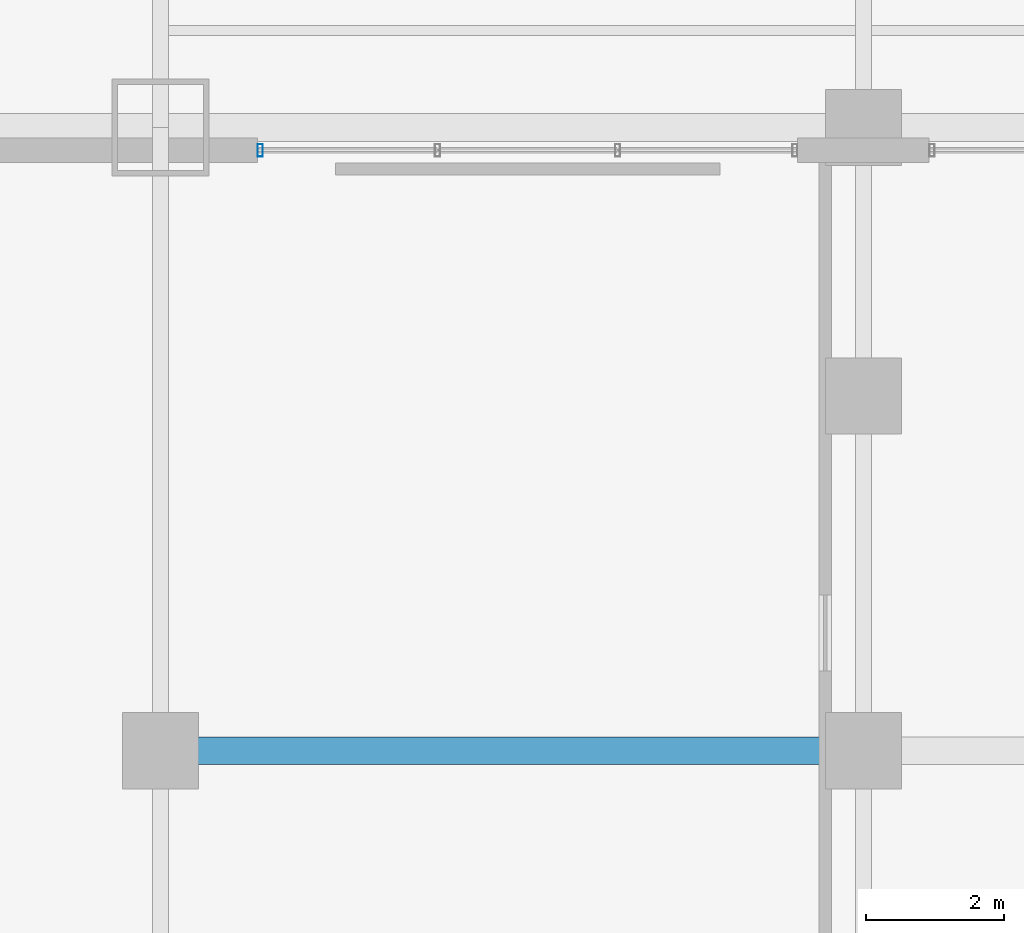
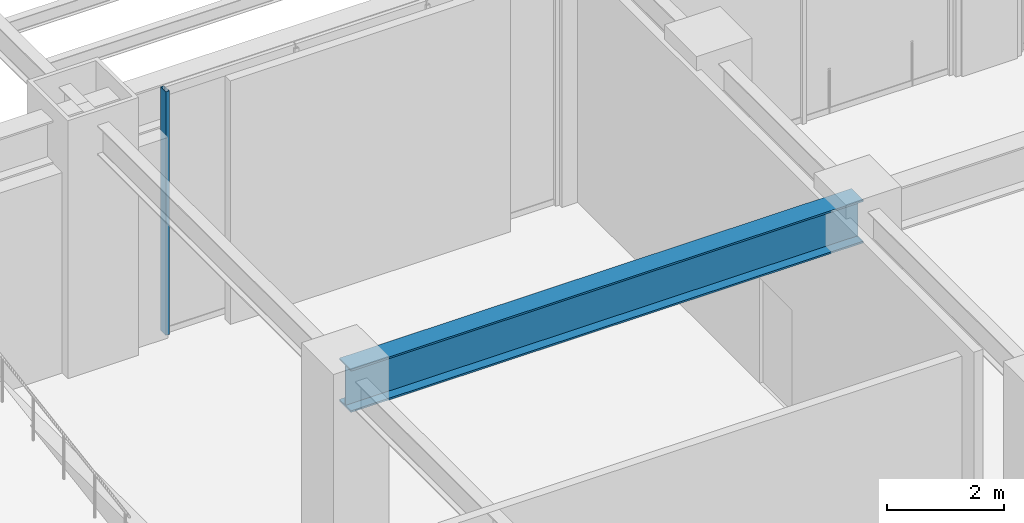
# One storey, part 3 of 23: 1 beam, 1 member, 1 element without a shape of its own.
"""IFC4 building model written with IfcOpenShell, lengths in metres."""

from ifc_helpers import new_model, si_unit, direction, frame, origin, origin_2d, place, context, subcontext, project, spatial, hollow_rectangle, i_section, extrude, material, material_profile, profile_set, type_object, element, aggregate, save


model = new_model("IFC4")

# Units and contexts
model_context = context("Model", 3, precision=1e-05, world=origin(), true_north=direction((0.0, 1.0)))
body_context = subcontext(model_context, "Body", "Model", "MODEL_VIEW")
ifc_project = project(units=[si_unit("LENGTHUNIT", "METRE"), si_unit("AREAUNIT", "SQUARE_METRE"), si_unit("VOLUMEUNIT", "CUBIC_METRE"), si_unit("PLANEANGLEUNIT", "RADIAN"), si_unit("MASSUNIT", "GRAM", prefix="KILO")], contexts=[model_context])

# Site, building, storey
site_placement = place(None, origin())
site = spatial("IfcSite", under=ifc_project, at=site_placement, CompositionType="ELEMENT")
building_placement = place(site_placement, origin())
building = spatial("IfcBuilding", under=site, at=building_placement, Name="Ventersveld Concourse Tower", CompositionType="ELEMENT")
storey_placement = place(building_placement, origin())
storey = spatial("IfcBuildingStorey", under=building, at=storey_placement, Name="L00", CompositionType="ELEMENT", Elevation=0.0)

# Curtain wall, member
ifc_material_1 = material(Name="Anodised aluminium EN AW-6063-T6", Category="aluminium")
curtain_wall_type = type_object("IfcCurtainWallType", Name="CW-CONC-1", PredefinedType="NOTDEFINED", material=ifc_material_1)
curtain_wall_placement = place(storey_placement, origin())
curtain_wall = element("IfcCurtainWall", 1, at=curtain_wall_placement, inside=storey, type_object=curtain_wall_type, Name="L00 Station Concourse North Storefront 1", PredefinedType="NOTDEFINED")
ifc_material_profile_1 = material_profile(ifc_material_1, hollow_rectangle(XDim=0.074951171875, YDim=0.179931640625, WallThickness=0.00390625, at=origin_2d()), Name="ALU 180x75x4")
ifc_profile_set_1 = profile_set([ifc_material_profile_1], Name="Anodised aluminium EN AW-6063-T6")
member_type = type_object("IfcMemberType", Name="CWM-180x75", PredefinedType="MULLION", material=ifc_profile_set_1)
member_placement = place(storey_placement, frame((5.0400390625, 43.669921875, 0.0), z_axis=(0.0, 0.0, 1.0), x_axis=(1.0, 0.0, 0.0)))
member = element("IfcMember", 2, at=member_placement, type_object=member_type, Name="CW-L00-N1 Mullion 01", PredefinedType="MULLION", context=body_context, shape_type="SweptSolid", body=[
    extrude(hollow_rectangle(XDim=0.074951171875, YDim=0.179931640625, WallThickness=0.00390625, at=origin_2d()), origin(), (0.0, 0.0, 1.0), 5.10009765625),
])
aggregate(curtain_wall, [member])

# Beam
ifc_material_2 = material(Name="Structural steel S355J2", Category="steel")
ifc_material_profile_2 = material_profile(ifc_material_2, i_section(OverallWidth=0.39990234375, OverallDepth=0.89990234375, WebThickness=0.02197265625, FlangeThickness=0.035888671875, at=origin_2d()), Name="PG 900x400x36")
ifc_profile_set_2 = profile_set([ifc_material_profile_2], Name="Structural steel S355J2")
beam_type = type_object("IfcBeamType", Name="GRD-PG900", PredefinedType="USERDEFINED", material=ifc_profile_set_2)
beam_placement = place(storey_placement, frame((3.60009765625, 35.0, 4.64990234375), z_axis=(1.0, 0.0, 0.0), x_axis=(0.0, 1.0, 0.0)))
element("IfcBeam", 3, at=beam_placement, inside=storey, type_object=beam_type, Name="L00 Podium Primary Girder Y=35.0m", ObjectType="GIRDER", PredefinedType="USERDEFINED", context=body_context, shape_type="SweptSolid", body=[
    extrude(i_section(OverallWidth=0.39990234375, OverallDepth=0.89990234375, WebThickness=0.02197265625, FlangeThickness=0.035888671875, at=origin_2d()), origin(), (0.0, 0.0, 1.0), 10.14990234375),
])

save(model, "model.ifc")
